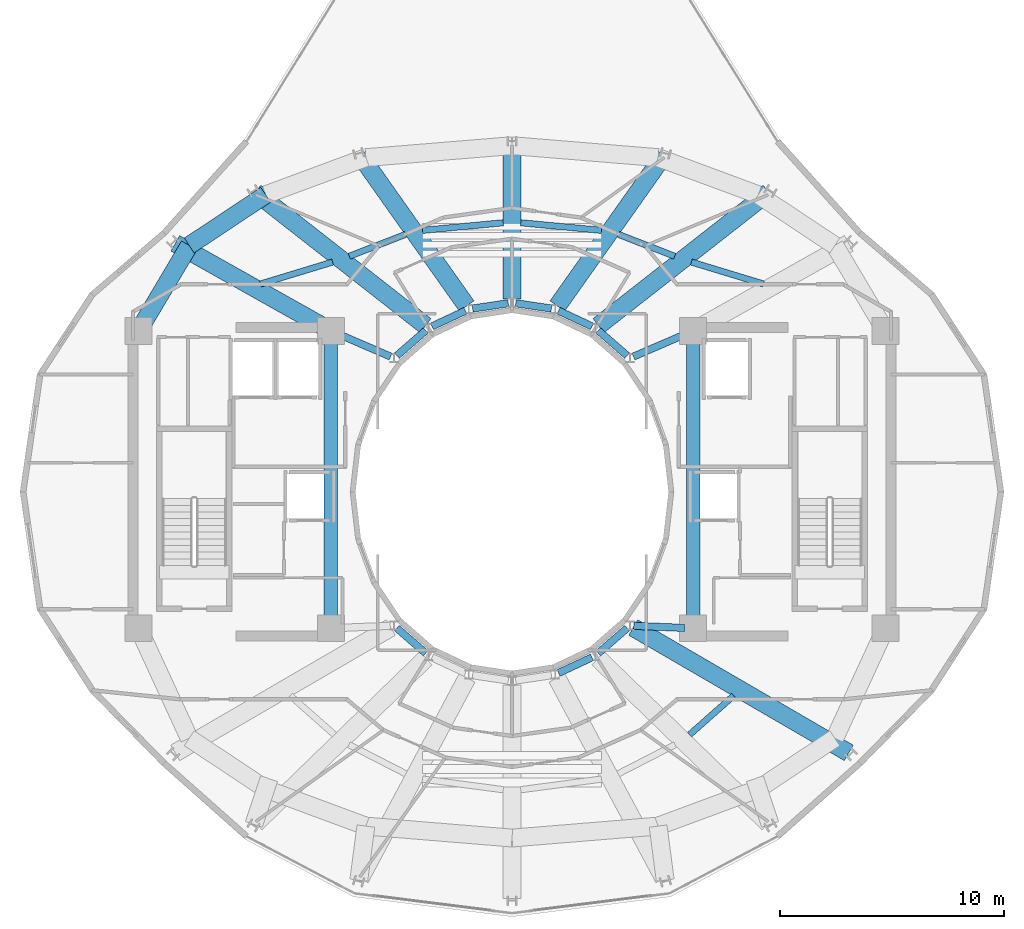
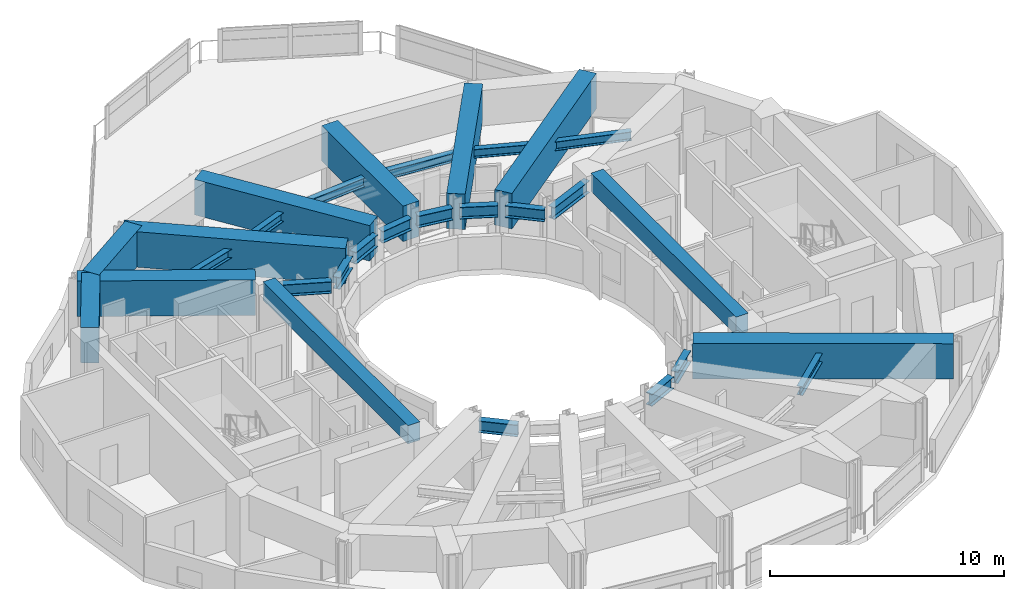
# One storey, part 6 of 21: 30 beams.
"""IFC4 building model written with IfcOpenShell, lengths in metres."""

from ifc_helpers import new_model, si_unit, direction, frame, origin, origin_2d, place, context, subcontext, project, spatial, rectangle, i_section, extrude, material, material_profile, profile_set, type_object, element, save


model = new_model("IFC4")

# Units and contexts
model_context = context("Model", 3, precision=1e-05, world=origin(), true_north=direction((0.0, 1.0)))
body_context = subcontext(model_context, "Body", "Model", "MODEL_VIEW")
ifc_project = project(units=[si_unit("LENGTHUNIT", "METRE"), si_unit("AREAUNIT", "SQUARE_METRE"), si_unit("VOLUMEUNIT", "CUBIC_METRE"), si_unit("PLANEANGLEUNIT", "RADIAN"), si_unit("MASSUNIT", "GRAM", prefix="KILO")], contexts=[model_context])

# Site, building, storey
site_placement = place(None, origin())
site = spatial("IfcSite", under=ifc_project, at=site_placement, CompositionType="ELEMENT")
building_placement = place(site_placement, origin())
building = spatial("IfcBuilding", under=site, at=building_placement, Name="Solvane Sanctuary Tower", CompositionType="ELEMENT")
storey_placement = place(building_placement, frame((0.0, 0.0, 256.800048828125)))
storey = spatial("IfcBuildingStorey", under=building, at=storey_placement, Name="L78", CompositionType="ELEMENT", Elevation=256.800048828125)

# Beams
ifc_material_1 = material(Name="Concrete C70/85", Category="concrete")
ifc_material_profile_1 = material_profile(ifc_material_1, rectangle(XDim=0.60009765625, YDim=0.949951171875, at=origin_2d()), Name="RC600X950")
ifc_profile_set_1 = profile_set([ifc_material_profile_1], Name="Concrete C70/85")
beam_type_1 = type_object("IfcBeamType", Name="Beam B-COUPLE RC600X950", PredefinedType="LINTEL", material=ifc_profile_set_1)
for number, where, z_axis, x_axis, name in (
    (1, (23.89990234375, 17.35009765625, 3.125), (0.0, 1.0, 0.0), (-1.0, 0.0, 0.0), "L78 West Core Coupling Lintel"),
    (2, (40.10009765625, 17.35009765625, 3.125), (0.0, 1.0, 0.0), (-1.0, 0.0, 0.0), "L78 East Core Coupling Lintel"),
):
    element("IfcBeam", number, at=place(storey_placement, frame(where, z_axis=z_axis, x_axis=x_axis)), inside=storey, type_object=beam_type_1, Name=name, PredefinedType="LINTEL", context=body_context, shape_type="SweptSolid", body=[
        extrude(rectangle(XDim=0.60009765625, YDim=0.949951171875, at=origin_2d()), origin(), (0.0, 0.0, 1.0), 12.39990234375),
    ])
ifc_material_2 = material(Name="Steel ASTM A992 Grade 50", Category="steel")
ifc_material_profile_2 = material_profile(ifc_material_2, i_section(OverallWidth=0.324951171875, OverallDepth=0.615966796875, WebThickness=0.013916015625, FlangeThickness=0.021484375, FilletRadius=0.01611328125, at=origin_2d()), Name="W24X117")
ifc_profile_set_2 = profile_set([ifc_material_profile_2], Name="Steel ASTM A992 Grade 50")
beam_type_2 = type_object("IfcBeamType", Name="Beam B-RING-IN2 W24X117", PredefinedType="BEAM", material=ifc_profile_set_2)
beam_1_placement = place(storey_placement, frame((24.230712890625, 30.0576171875, 2.7900390625), z_axis=(0.918254967668, -0.395989664453, 0.0), x_axis=(0.395989664453, 0.918254967668, 0.0)))
element("IfcBeam", 3, at=beam_1_placement, inside=storey, type_object=beam_type_2, Name="L78 Inner Light-Well Ring Beam CW3-IC07", PredefinedType="BEAM", context=body_context, shape_type="SweptSolid", body=[
    extrude(i_section(OverallWidth=0.324951171875, OverallDepth=0.615966796875, WebThickness=0.013916015625, FlangeThickness=0.021484375, FilletRadius=0.01611328125, at=origin_2d()), origin(), (0.0, 0.0, 1.0), 2.54638671875),
])
beam_2_placement = place(storey_placement, frame((26.853271484375, 29.09375, 2.7900390625), z_axis=(0.754362388825, 0.656458213694, 0.0), x_axis=(-0.656458213694, 0.754362388825, 0.0)))
element("IfcBeam", 4, at=beam_2_placement, inside=storey, type_object=beam_type_2, Name="L78 Inner Light-Well Ring Beam IC07-IC06", PredefinedType="BEAM", context=body_context, shape_type="SweptSolid", body=[
    extrude(i_section(OverallWidth=0.324951171875, OverallDepth=0.615966796875, WebThickness=0.013916015625, FlangeThickness=0.021484375, FilletRadius=0.01611328125, at=origin_2d()), origin(), (0.0, 0.0, 1.0), 1.708251953125),
])
beam_3_placement = place(storey_placement, frame((28.423828125, 30.39892578125, 2.7900390625), z_axis=(0.905150857291, 0.425090491008, 0.0), x_axis=(-0.425090491008, 0.905150857291, 0.0)))
element("IfcBeam", 5, at=beam_3_placement, inside=storey, type_object=beam_type_2, Name="L78 Inner Light-Well Ring Beam IC06-IC05", PredefinedType="BEAM", context=body_context, shape_type="SweptSolid", body=[
    extrude(i_section(OverallWidth=0.324951171875, OverallDepth=0.615966796875, WebThickness=0.013916015625, FlangeThickness=0.021484375, FilletRadius=0.01611328125, at=origin_2d()), origin(), (0.0, 0.0, 1.0), 1.647705078125),
])
for number, where, z_axis, x_axis, name in (
    (6, (30.2373046875, 31.19677734375, 2.7900390625), (0.989039416515, 0.147651727316, 0.0), (-0.147651727316, 0.989039416515, 0.0), "L78 Inner Light-Well Ring Beam IC05-IC04"),
    (7, (32.168212890625, 31.434814453125, 2.7900390625), (0.989039416515, -0.147651727316, 0.0), (0.147651727316, 0.989039416515, 0.0), "L78 Inner Light-Well Ring Beam IC04-IC03"),
):
    element("IfcBeam", number, at=place(storey_placement, frame(where, z_axis=z_axis, x_axis=x_axis)), inside=storey, type_object=beam_type_2, Name=name, PredefinedType="BEAM", context=body_context, shape_type="SweptSolid", body=[
        extrude(i_section(OverallWidth=0.324951171875, OverallDepth=0.615966796875, WebThickness=0.013916015625, FlangeThickness=0.021484375, FilletRadius=0.01611328125, at=origin_2d()), origin(), (0.0, 0.0, 1.0), 1.612060546875),
    ])
beam_4_placement = place(storey_placement, frame((34.084716796875, 31.099365234375, 2.7900390625), z_axis=(0.905150857291, -0.425090491008, 0.0), x_axis=(0.425090491008, 0.905150857291, 0.0)))
element("IfcBeam", 8, at=beam_4_placement, inside=storey, type_object=beam_type_2, Name="L78 Inner Light-Well Ring Beam IC03-IC02", PredefinedType="BEAM", context=body_context, shape_type="SweptSolid", body=[
    extrude(i_section(OverallWidth=0.324951171875, OverallDepth=0.615966796875, WebThickness=0.013916015625, FlangeThickness=0.021484375, FilletRadius=0.01611328125, at=origin_2d()), origin(), (0.0, 0.0, 1.0), 1.647705078125),
])
beam_5_placement = place(storey_placement, frame((35.858154296875, 30.215087890625, 2.7900390625), z_axis=(0.754362388825, -0.656458213694, 0.0), x_axis=(0.656458213694, 0.754362388825, 0.0)))
element("IfcBeam", 9, at=beam_5_placement, inside=storey, type_object=beam_type_2, Name="L78 Inner Light-Well Ring Beam IC02-IC01", PredefinedType="BEAM", context=body_context, shape_type="SweptSolid", body=[
    extrude(i_section(OverallWidth=0.324951171875, OverallDepth=0.615966796875, WebThickness=0.013916015625, FlangeThickness=0.021484375, FilletRadius=0.01611328125, at=origin_2d()), origin(), (0.0, 0.0, 1.0), 1.708251953125),
])
beam_6_placement = place(storey_placement, frame((37.43115234375, 29.04931640625, 2.7900390625), z_axis=(0.918254967668, 0.395989664453, 0.0), x_axis=(-0.395989664453, 0.918254967668, 0.0)))
element("IfcBeam", 10, at=beam_6_placement, inside=storey, type_object=beam_type_2, Name="L78 Inner Light-Well Ring Beam IC01-CE4", PredefinedType="BEAM", context=body_context, shape_type="SweptSolid", body=[
    extrude(i_section(OverallWidth=0.324951171875, OverallDepth=0.615966796875, WebThickness=0.013916015625, FlangeThickness=0.021484375, FilletRadius=0.01611328125, at=origin_2d()), origin(), (0.0, 0.0, 1.0), 2.54638671875),
])
beam_7_placement = place(storey_placement, frame((26.853271484375, 16.90625, 2.7900390625), z_axis=(0.754362388825, -0.656458213694, 0.0), x_axis=(0.656458213694, 0.754362388825, 0.0)))
element("IfcBeam", 11, at=beam_7_placement, inside=storey, type_object=beam_type_2, Name="L78 Inner Light-Well Ring Beam IC08-IC09", PredefinedType="BEAM", context=body_context, shape_type="SweptSolid", body=[
    extrude(i_section(OverallWidth=0.324951171875, OverallDepth=0.615966796875, WebThickness=0.013916015625, FlangeThickness=0.021484375, FilletRadius=0.01611328125, at=origin_2d()), origin(), (0.0, 0.0, 1.0), 1.708251953125),
])
beam_8_placement = place(storey_placement, frame((34.084716796875, 14.900634765625, 2.7900390625), z_axis=(0.905150857291, 0.425090491008, 0.0), x_axis=(-0.425090491008, 0.905150857291, 0.0)))
element("IfcBeam", 12, at=beam_8_placement, inside=storey, type_object=beam_type_2, Name="L78 Inner Light-Well Ring Beam IC12-IC13", PredefinedType="BEAM", context=body_context, shape_type="SweptSolid", body=[
    extrude(i_section(OverallWidth=0.324951171875, OverallDepth=0.615966796875, WebThickness=0.013916015625, FlangeThickness=0.021484375, FilletRadius=0.01611328125, at=origin_2d()), origin(), (0.0, 0.0, 1.0), 1.647705078125),
])
beam_9_placement = place(storey_placement, frame((35.858154296875, 15.784912109375, 2.7900390625), z_axis=(0.754362388825, 0.656458213694, 0.0), x_axis=(-0.656458213694, 0.754362388825, 0.0)))
element("IfcBeam", 13, at=beam_9_placement, inside=storey, type_object=beam_type_2, Name="L78 Inner Light-Well Ring Beam IC13-IC14", PredefinedType="BEAM", context=body_context, shape_type="SweptSolid", body=[
    extrude(i_section(OverallWidth=0.324951171875, OverallDepth=0.615966796875, WebThickness=0.013916015625, FlangeThickness=0.021484375, FilletRadius=0.01611328125, at=origin_2d()), origin(), (0.0, 0.0, 1.0), 1.708251953125),
])
beam_10_placement = place(storey_placement, frame((37.44482421875, 17.0107421875, 2.7900390625), z_axis=(0.9991319677, -0.04165706566, 0.0), x_axis=(0.04165706566, 0.9991319677, 0.0)))
element("IfcBeam", 14, at=beam_10_placement, inside=storey, type_object=beam_type_2, Name="L78 Inner Light-Well Ring Beam IC14-CE1", PredefinedType="BEAM", context=body_context, shape_type="SweptSolid", body=[
    extrude(i_section(OverallWidth=0.324951171875, OverallDepth=0.615966796875, WebThickness=0.013916015625, FlangeThickness=0.021484375, FilletRadius=0.01611328125, at=origin_2d()), origin(), (0.0, 0.0, 1.0), 2.29736328125),
])
ifc_material_profile_3 = material_profile(ifc_material_2, i_section(OverallWidth=0.280029296875, OverallDepth=0.462890625, WebThickness=0.0107421875, FlangeThickness=0.017333984375, FilletRadius=0.013916015625, at=origin_2d()), Name="W18X76")
ifc_profile_set_3 = profile_set([ifc_material_profile_3], Name="Steel ASTM A992 Grade 50")
beam_type_3 = type_object("IfcBeamType", Name="Beam B-SEC-JOIST W18X76", PredefinedType="JOIST", material=ifc_profile_set_3)
beam_11_placement = place(storey_placement, frame((20.75537109375, 32.294921875, 2.866455078125), z_axis=(0.956637903964, 0.291279797959, 0.0), x_axis=(-0.291279797959, 0.956637903964, 0.0)))
element("IfcBeam", 15, at=beam_11_placement, inside=storey, type_object=beam_type_3, Name="L78 Secondary Circumferential Joist 07-06", PredefinedType="JOIST", context=body_context, shape_type="SweptSolid", body=[
    extrude(i_section(OverallWidth=0.280029296875, OverallDepth=0.462890625, WebThickness=0.0107421875, FlangeThickness=0.017333984375, FilletRadius=0.013916015625, at=origin_2d()), origin(), (0.0, 0.0, 1.0), 3.370361328125),
])
beam_12_placement = place(storey_placement, frame((24.7255859375, 33.534912109375, 2.866455078125), z_axis=(0.932018266657, 0.362411300346, 0.0), x_axis=(-0.362411300346, 0.932018266657, 0.0)))
element("IfcBeam", 16, at=beam_12_placement, inside=storey, type_object=beam_type_3, Name="L78 Secondary Circumferential Joist 06-05", PredefinedType="JOIST", context=body_context, shape_type="SweptSolid", body=[
    extrude(i_section(OverallWidth=0.280029296875, OverallDepth=0.462890625, WebThickness=0.0107421875, FlangeThickness=0.017333984375, FilletRadius=0.013916015625, at=origin_2d()), origin(), (0.0, 0.0, 1.0), 2.696044921875),
])
for number, where, z_axis, x_axis, name in (
    (17, (27.999755859375, 34.692138671875, 2.866455078125), (0.995565462699, 0.094071299982, 0.0), (-0.094071299982, 0.995565462699, 0.0), "L78 Secondary Circumferential Joist 05-04"),
    (18, (32.393310546875, 35.032958984375, 2.866455078125), (0.995565462699, -0.094071299982, 0.0), (0.094071299982, 0.995565462699, 0.0), "L78 Secondary Circumferential Joist 04-03"),
):
    element("IfcBeam", number, at=place(storey_placement, frame(where, z_axis=z_axis, x_axis=x_axis)), inside=storey, type_object=beam_type_3, Name=name, PredefinedType="JOIST", context=body_context, shape_type="SweptSolid", body=[
        extrude(i_section(OverallWidth=0.280029296875, OverallDepth=0.462890625, WebThickness=0.0107421875, FlangeThickness=0.017333984375, FilletRadius=0.013916015625, at=origin_2d()), origin(), (0.0, 0.0, 1.0), 3.623046875),
    ])
beam_13_placement = place(storey_placement, frame((36.76171875, 34.511962890625, 2.866455078125), z_axis=(0.932018266657, -0.362411300346, 0.0), x_axis=(0.362411300346, 0.932018266657, 0.0)))
element("IfcBeam", 19, at=beam_13_placement, inside=storey, type_object=beam_type_3, Name="L78 Secondary Circumferential Joist 03-02", PredefinedType="JOIST", context=body_context, shape_type="SweptSolid", body=[
    extrude(i_section(OverallWidth=0.280029296875, OverallDepth=0.462890625, WebThickness=0.0107421875, FlangeThickness=0.017333984375, FilletRadius=0.013916015625, at=origin_2d()), origin(), (0.0, 0.0, 1.0), 2.696044921875),
])
beam_14_placement = place(storey_placement, frame((40.0205078125, 33.276611328125, 2.866455078125), z_axis=(0.956637903964, -0.291279797959, 0.0), x_axis=(0.291279797959, 0.956637903964, 0.0)))
element("IfcBeam", 20, at=beam_14_placement, inside=storey, type_object=beam_type_3, Name="L78 Secondary Circumferential Joist 02-01", PredefinedType="JOIST", context=body_context, shape_type="SweptSolid", body=[
    extrude(i_section(OverallWidth=0.280029296875, OverallDepth=0.462890625, WebThickness=0.0107421875, FlangeThickness=0.017333984375, FilletRadius=0.013916015625, at=origin_2d()), origin(), (0.0, 0.0, 1.0), 3.370361328125),
])
beam_15_placement = place(storey_placement, frame((39.9384765625, 12.141357421875, 2.866455078125), z_axis=(0.749337635243, 0.662188121615, 0.0), x_axis=(-0.662188121615, 0.749337635243, 0.0)))
element("IfcBeam", 21, at=beam_15_placement, inside=storey, type_object=beam_type_3, Name="L78 Secondary Circumferential Joist 13-14", PredefinedType="JOIST", context=body_context, shape_type="SweptSolid", body=[
    extrude(i_section(OverallWidth=0.280029296875, OverallDepth=0.462890625, WebThickness=0.0107421875, FlangeThickness=0.017333984375, FilletRadius=0.013916015625, at=origin_2d()), origin(), (0.0, 0.0, 1.0), 2.63623046875),
])
ifc_material_profile_4 = material_profile(ifc_material_1, rectangle(XDim=0.800048828125, YDim=1.85009765625, at=origin_2d()), Name="RC800X1850")
ifc_profile_set_4 = profile_set([ifc_material_profile_4], Name="Concrete C70/85")
beam_type_4 = type_object("IfcBeamType", Name="Beam B-XFER-BLK RC800X1850", PredefinedType="BEAM", material=ifc_profile_set_4)
beam_16_placement = place(storey_placement, frame((35.86376953125, 30.431396484375, 2.675048828125), z_axis=(0.787180458887, 0.616722729552, 0.0), x_axis=(-0.616722729552, 0.787180458887, 0.0)))
element("IfcBeam", 22, at=beam_16_placement, inside=storey, type_object=beam_type_4, Name="L78 Block-Shift Radial Transfer Girder 02A", PredefinedType="BEAM", context=body_context, shape_type="SweptSolid", body=[
    extrude(rectangle(XDim=0.800048828125, YDim=1.85009765625, at=origin_2d()), origin(), (0.0, 0.0, 1.0), 9.670654296875),
])
beam_17_placement = place(storey_placement, frame((34.02880859375, 31.310546875, 2.675048828125), z_axis=(0.57729560807, 0.816535229432, 0.0), x_axis=(-0.816535229432, 0.57729560807, 0.0)))
element("IfcBeam", 23, at=beam_17_placement, inside=storey, type_object=beam_type_4, Name="L78 Block-Shift Radial Transfer Girder 03A", PredefinedType="BEAM", context=body_context, shape_type="SweptSolid", body=[
    extrude(rectangle(XDim=0.800048828125, YDim=1.85009765625, at=origin_2d()), origin(), (0.0, 0.0, 1.0), 8.261962890625),
])
beam_18_placement = place(storey_placement, frame((32.0, 31.6298828125, 2.675048828125), z_axis=(0.0, 1.0, 0.0), x_axis=(-1.0, 0.0, 0.0)))
element("IfcBeam", 24, at=beam_18_placement, inside=storey, type_object=beam_type_4, Name="L78 Block-Shift Radial Transfer Girder 04A", PredefinedType="BEAM", context=body_context, shape_type="SweptSolid", body=[
    extrude(rectangle(XDim=0.800048828125, YDim=1.85009765625, at=origin_2d()), origin(), (0.0, 0.0, 1.0), 6.9501953125),
])
beam_19_placement = place(storey_placement, frame((29.97119140625, 31.310546875, 2.675048828125), z_axis=(-0.57729560807, 0.816535229432, 0.0), x_axis=(-0.816535229432, -0.57729560807, 0.0)))
element("IfcBeam", 25, at=beam_19_placement, inside=storey, type_object=beam_type_4, Name="L78 Block-Shift Radial Transfer Girder 05A", PredefinedType="BEAM", context=body_context, shape_type="SweptSolid", body=[
    extrude(rectangle(XDim=0.800048828125, YDim=1.85009765625, at=origin_2d()), origin(), (0.0, 0.0, 1.0), 8.261962890625),
])
beam_20_placement = place(storey_placement, frame((28.13623046875, 30.431396484375, 2.675048828125), z_axis=(-0.787180458887, 0.616722729552, 0.0), x_axis=(-0.616722729552, -0.787180458887, 0.0)))
element("IfcBeam", 26, at=beam_20_placement, inside=storey, type_object=beam_type_4, Name="L78 Block-Shift Radial Transfer Girder 06A", PredefinedType="BEAM", context=body_context, shape_type="SweptSolid", body=[
    extrude(rectangle(XDim=0.800048828125, YDim=1.85009765625, at=origin_2d()), origin(), (0.0, 0.0, 1.0), 9.670654296875),
])
beam_21_placement = place(storey_placement, frame((23.586181640625, 30.37646484375, 2.675048828125), z_axis=(-0.871757703439, 0.489937247507, 0.0), x_axis=(-0.489937247507, -0.871757703439, 0.0)))
element("IfcBeam", 27, at=beam_21_placement, inside=storey, type_object=beam_type_4, Name="L78 Block-Shift Radial Transfer Girder 07A", PredefinedType="BEAM", context=body_context, shape_type="SweptSolid", body=[
    extrude(rectangle(XDim=0.800048828125, YDim=1.85009765625, at=origin_2d()), origin(), (0.0, 0.0, 1.0), 7.62109375),
])
beam_22_placement = place(storey_placement, frame((37.422119140625, 16.932373046875, 2.675048828125), z_axis=(0.864490587144, -0.502649007498, 0.0), x_axis=(0.502649007498, 0.864490587144, 0.0)))
element("IfcBeam", 28, at=beam_22_placement, inside=storey, type_object=beam_type_4, Name="L78 Block-Shift Radial Transfer Girder 14A", PredefinedType="BEAM", context=body_context, shape_type="SweptSolid", body=[
    extrude(rectangle(XDim=0.800048828125, YDim=1.85009765625, at=origin_2d()), origin(), (0.0, 0.0, 1.0), 11.14697265625),
])
beam_23_placement = place(storey_placement, frame((15.48388671875, 30.509521484375, 2.675048828125), z_axis=(0.510609271777, 0.859812870092, 0.0), x_axis=(-0.859812870092, 0.510609271777, 0.0)))
element("IfcBeam", 29, at=beam_23_placement, inside=storey, type_object=beam_type_4, Name="L78 Perimeter Step Transfer Ring CW4-NTC07", PredefinedType="BEAM", context=body_context, shape_type="SweptSolid", body=[
    extrude(rectangle(XDim=0.800048828125, YDim=1.85009765625, at=origin_2d()), origin(), (0.0, 0.0, 1.0), 4.079345703125),
])
beam_24_placement = place(storey_placement, frame((17.56689453125, 34.01708984375, 2.675048828125), z_axis=(0.833429471905, 0.552625836674, 0.0), x_axis=(-0.552625836674, 0.833429471905, 0.0)))
element("IfcBeam", 30, at=beam_24_placement, inside=storey, type_object=beam_type_4, Name="L78 Perimeter Step Transfer Ring NTC07-NTC06", PredefinedType="BEAM", context=body_context, shape_type="SweptSolid", body=[
    extrude(rectangle(XDim=0.800048828125, YDim=1.85009765625, at=origin_2d()), origin(), (0.0, 0.0, 1.0), 4.1044921875),
])

save(model, "model.ifc")
